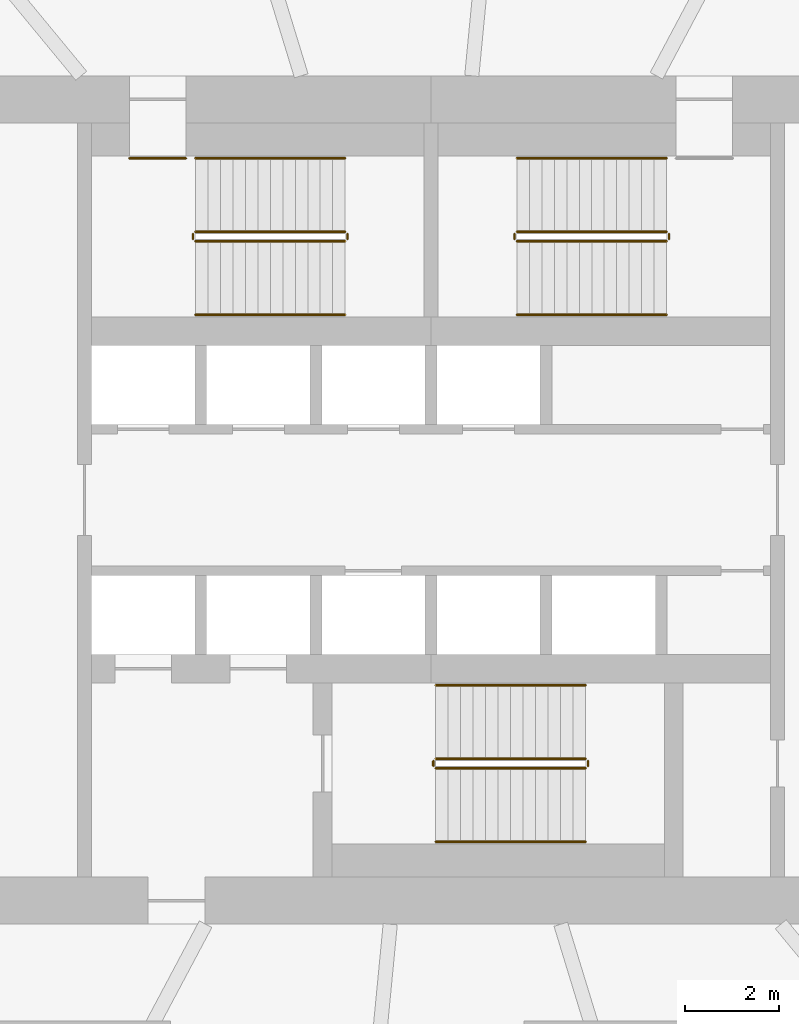
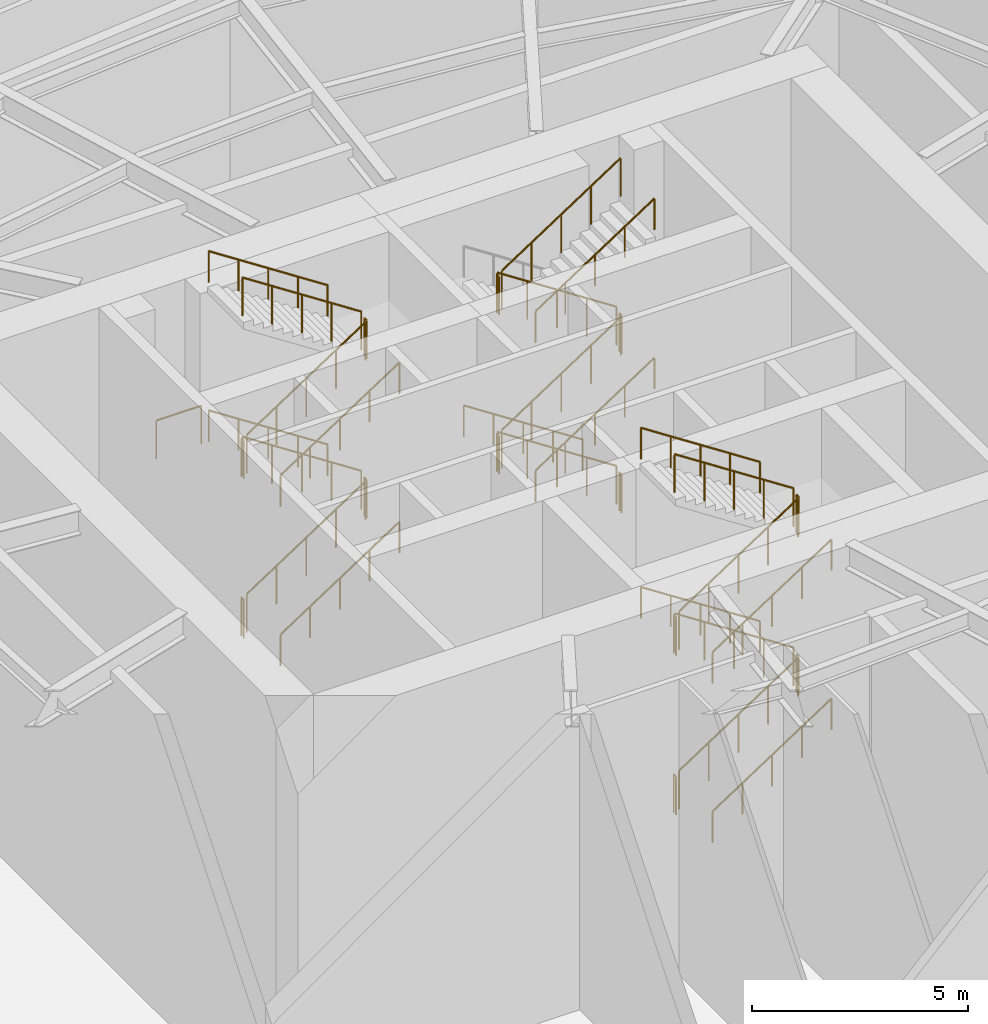
# One storey, part 18 of 19: 36 railings.
"""IFC4 building model written with IfcOpenShell, lengths in metres."""

from ifc_helpers import new_model, si_unit, direction, frame, origin, origin_2d, place, context, subcontext, project, spatial, circle, extrude, material, type_object, element, save


model = new_model("IFC4")

# Units and contexts
model_context = context("Model", 3, precision=1e-05, world=origin(), true_north=direction((0.0, 1.0)))
body_context = subcontext(model_context, "Body", "Model", "MODEL_VIEW")
ifc_project = project(units=[si_unit("LENGTHUNIT", "METRE"), si_unit("AREAUNIT", "SQUARE_METRE"), si_unit("VOLUMEUNIT", "CUBIC_METRE"), si_unit("PLANEANGLEUNIT", "RADIAN"), si_unit("MASSUNIT", "GRAM", prefix="KILO")], contexts=[model_context])

# Site, building, storey
site_placement = place(None, origin())
site = spatial("IfcSite", under=ifc_project, at=site_placement, CompositionType="ELEMENT")
building_placement = place(site_placement, origin())
building = spatial("IfcBuilding", under=site, at=building_placement, Name="Vermilion Reach Broadcast Tower", CompositionType="ELEMENT")
storey_placement = place(building_placement, frame((0.0, 0.0, 8.0)))
storey = spatial("IfcBuildingStorey", under=building, at=storey_placement, Name="L01", CompositionType="ELEMENT", Elevation=8.0)

# Railings
ifc_material_1 = material(Name="Stainless steel", Category="steel")
railing_type_1 = type_object("IfcRailingType", Name="Stair guard 1100", PredefinedType="GUARDRAIL", material=ifc_material_1)
railing_1_placement = place(storey_placement, frame((-11.0, 5.489990234375, 0.173095703125)))
element("IfcRailing", 1, at=railing_1_placement, inside=storey, type_object=railing_type_1, Name="L01 ST1 stair guard 1", PredefinedType="GUARDRAIL", context=body_context, shape_type="SweptSolid", body=[
    extrude(circle(Radius=0.02392578125, at=origin_2d()), frame((0.0, 0.0, 1.076171875), z_axis=(0.837244679093, 0.0, 0.546828444149), x_axis=(0.0, 1.0, 0.0)), (0.0, 0.0, 1.0), 3.798095703125),
    extrude(circle(Radius=0.02099609375, at=origin_2d()), origin(), (0.0, 0.0, 1.0), 1.052001953125),
    extrude(circle(Radius=0.02099609375, at=origin_2d()), frame((0.794921875, 0.0, 0.519287109375)), (0.0, 0.0, 1.0), 1.052001953125),
    extrude(circle(Radius=0.02099609375, at=origin_2d()), frame((1.58984375, 0.0, 1.03857421875)), (0.0, 0.0, 1.0), 1.052001953125),
    extrude(circle(Radius=0.02099609375, at=origin_2d()), frame((2.385009765625, 0.0, 1.5576171875)), (0.0, 0.0, 1.0), 1.052001953125),
    extrude(circle(Radius=0.02099609375, at=origin_2d()), frame((3.179931640625, 0.0, 2.076904296875)), (0.0, 0.0, 1.0), 1.052001953125),
])
railing_2_placement = place(storey_placement, frame((-7.77001953125, 5.5400390625, 2.25)))
element("IfcRailing", 2, at=railing_2_placement, inside=storey, type_object=railing_type_1, Name="L01 ST1 stair guard 2", PredefinedType="GUARDRAIL", context=body_context, shape_type="SweptSolid", body=[
    extrude(circle(Radius=0.02392578125, at=origin_2d()), frame((0.0, 0.0, 1.076171875), z_axis=(0.0, 1.0, 0.0), x_axis=(-1.0, 0.0, 0.0)), (0.0, 0.0, 1.0), 0.099853515625),
    extrude(circle(Radius=0.02099609375, at=origin_2d()), origin(), (0.0, 0.0, 1.0), 1.052001953125),
    extrude(circle(Radius=0.02099609375, at=origin_2d()), frame((0.0, 0.099853515625, 0.0)), (0.0, 0.0, 1.0), 1.052001953125),
])
railing_3_placement = place(storey_placement, frame((-7.820068359375, 5.68994140625, 2.423095703125)))
element("IfcRailing", 3, at=railing_3_placement, inside=storey, type_object=railing_type_1, Name="L01 ST1 stair guard 3", PredefinedType="GUARDRAIL", context=body_context, shape_type="SweptSolid", body=[
    extrude(circle(Radius=0.02392578125, at=origin_2d()), frame((0.0, 0.0, 1.076171875), z_axis=(-0.837244679093, 0.0, 0.546828444149), x_axis=(0.0, -1.0, 0.0)), (0.0, 0.0, 1.0), 3.798095703125),
    extrude(circle(Radius=0.02099609375, at=origin_2d()), origin(), (0.0, 0.0, 1.0), 1.052001953125),
    extrude(circle(Radius=0.02099609375, at=origin_2d()), frame((-0.794921875, 0.0, 0.519287109375)), (0.0, 0.0, 1.0), 1.052001953125),
    extrude(circle(Radius=0.02099609375, at=origin_2d()), frame((-1.58984375, 0.0, 1.03857421875)), (0.0, 0.0, 1.0), 1.052001953125),
    extrude(circle(Radius=0.02099609375, at=origin_2d()), frame((-2.385009765625, 0.0, 1.5576171875)), (0.0, 0.0, 1.0), 1.052001953125),
    extrude(circle(Radius=0.02099609375, at=origin_2d()), frame((-3.179931640625, 0.0, 2.076904296875)), (0.0, 0.0, 1.0), 1.052001953125),
])
railing_4_placement = place(storey_placement, frame((-11.050048828125, 5.5400390625, 4.5)))
element("IfcRailing", 4, at=railing_4_placement, inside=storey, type_object=railing_type_1, Name="L01 ST1 stair guard 4", PredefinedType="GUARDRAIL", context=body_context, shape_type="SweptSolid", body=[
    extrude(circle(Radius=0.02392578125, at=origin_2d()), frame((0.0, 0.0, 1.076171875), z_axis=(0.0, 1.0, 0.0), x_axis=(-1.0, 0.0, 0.0)), (0.0, 0.0, 1.0), 0.099853515625),
    extrude(circle(Radius=0.02099609375, at=origin_2d()), origin(), (0.0, 0.0, 1.0), 1.052001953125),
    extrude(circle(Radius=0.02099609375, at=origin_2d()), frame((0.0, 0.099853515625, 0.0)), (0.0, 0.0, 1.0), 1.052001953125),
])
railing_5_placement = place(storey_placement, frame((-11.0, 5.489990234375, 4.673095703125)))
element("IfcRailing", 5, at=railing_5_placement, inside=storey, type_object=railing_type_1, Name="L01 ST1 stair guard 5", PredefinedType="GUARDRAIL", context=body_context, shape_type="SweptSolid", body=[
    extrude(circle(Radius=0.02392578125, at=origin_2d()), frame((0.0, 0.0, 1.076171875), z_axis=(0.837244679093, 0.0, 0.546828444149), x_axis=(0.0, 1.0, 0.0)), (0.0, 0.0, 1.0), 3.798095703125),
    extrude(circle(Radius=0.02099609375, at=origin_2d()), origin(), (0.0, 0.0, 1.0), 1.052001953125),
    extrude(circle(Radius=0.02099609375, at=origin_2d()), frame((0.794921875, 0.0, 0.519287109375)), (0.0, 0.0, 1.0), 1.052001953125),
    extrude(circle(Radius=0.02099609375, at=origin_2d()), frame((1.58984375, 0.0, 1.03857421875)), (0.0, 0.0, 1.0), 1.052001953125),
    extrude(circle(Radius=0.02099609375, at=origin_2d()), frame((2.385009765625, 0.0, 1.5576171875)), (0.0, 0.0, 1.0), 1.052001953125),
    extrude(circle(Radius=0.02099609375, at=origin_2d()), frame((3.179931640625, 0.0, 2.076904296875)), (0.0, 0.0, 1.0), 1.052001953125),
])
railing_6_placement = place(storey_placement, frame((-7.77001953125, 5.5400390625, 6.75)))
element("IfcRailing", 6, at=railing_6_placement, inside=storey, type_object=railing_type_1, Name="L01 ST1 stair guard 6", PredefinedType="GUARDRAIL", context=body_context, shape_type="SweptSolid", body=[
    extrude(circle(Radius=0.02392578125, at=origin_2d()), frame((0.0, 0.0, 1.076171875), z_axis=(0.0, 1.0, 0.0), x_axis=(-1.0, 0.0, 0.0)), (0.0, 0.0, 1.0), 0.099853515625),
    extrude(circle(Radius=0.02099609375, at=origin_2d()), origin(), (0.0, 0.0, 1.0), 1.052001953125),
    extrude(circle(Radius=0.02099609375, at=origin_2d()), frame((0.0, 0.099853515625, 0.0)), (0.0, 0.0, 1.0), 1.052001953125),
])
railing_7_placement = place(storey_placement, frame((-7.820068359375, 5.68994140625, 6.923095703125)))
element("IfcRailing", 7, at=railing_7_placement, inside=storey, type_object=railing_type_1, Name="L01 ST1 stair guard 7", PredefinedType="GUARDRAIL", context=body_context, shape_type="SweptSolid", body=[
    extrude(circle(Radius=0.02392578125, at=origin_2d()), frame((0.0, 0.0, 1.076171875), z_axis=(-0.837244679093, 0.0, 0.546828444149), x_axis=(0.0, -1.0, 0.0)), (0.0, 0.0, 1.0), 3.798095703125),
    extrude(circle(Radius=0.02099609375, at=origin_2d()), origin(), (0.0, 0.0, 1.0), 1.052001953125),
    extrude(circle(Radius=0.02099609375, at=origin_2d()), frame((-0.794921875, 0.0, 0.519287109375)), (0.0, 0.0, 1.0), 1.052001953125),
    extrude(circle(Radius=0.02099609375, at=origin_2d()), frame((-1.58984375, 0.0, 1.03857421875)), (0.0, 0.0, 1.0), 1.052001953125),
    extrude(circle(Radius=0.02099609375, at=origin_2d()), frame((-2.385009765625, 0.0, 1.5576171875)), (0.0, 0.0, 1.0), 1.052001953125),
    extrude(circle(Radius=0.02099609375, at=origin_2d()), frame((-3.179931640625, 0.0, 2.076904296875)), (0.0, 0.0, 1.0), 1.052001953125),
])
railing_8_placement = place(storey_placement, frame((-11.050048828125, 5.5400390625, 0.0)))
element("IfcRailing", 8, at=railing_8_placement, inside=storey, type_object=railing_type_1, Name="L01 ST1 stair guard 8", PredefinedType="GUARDRAIL", context=body_context, shape_type="SweptSolid", body=[
    extrude(circle(Radius=0.02392578125, at=origin_2d()), frame((0.0, 0.0, 1.076171875), z_axis=(0.0, 1.0, 0.0), x_axis=(-1.0, 0.0, 0.0)), (0.0, 0.0, 1.0), 0.099853515625),
    extrude(circle(Radius=0.02099609375, at=origin_2d()), origin(), (0.0, 0.0, 1.0), 1.052001953125),
    extrude(circle(Radius=0.02099609375, at=origin_2d()), frame((0.0, 0.099853515625, 0.0)), (0.0, 0.0, 1.0), 1.052001953125),
])
railing_9_placement = place(storey_placement, frame((-12.39990234375, 7.25, 4.5)))
element("IfcRailing", 9, at=railing_9_placement, inside=storey, type_object=railing_type_1, Name="L01 ST1 doorway guard", PredefinedType="GUARDRAIL", context=body_context, shape_type="SweptSolid", body=[
    extrude(circle(Radius=0.02392578125, at=origin_2d()), frame((0.0, 0.0, 1.076171875), z_axis=(1.0, 0.0, 0.0), x_axis=(0.0, 1.0, 0.0)), (0.0, 0.0, 1.0), 1.199951171875),
    extrude(circle(Radius=0.02099609375, at=origin_2d()), origin(), (0.0, 0.0, 1.0), 1.052001953125),
    extrude(circle(Radius=0.02099609375, at=origin_2d()), frame((1.199951171875, 0.0, 0.0)), (0.0, 0.0, 1.0), 1.052001953125),
])
railing_10_placement = place(storey_placement, frame((-1.0, 5.68994140625, 0.173095703125)))
element("IfcRailing", 10, at=railing_10_placement, inside=storey, type_object=railing_type_1, Name="L01 ST2 stair guard 1", PredefinedType="GUARDRAIL", context=body_context, shape_type="SweptSolid", body=[
    extrude(circle(Radius=0.02392578125, at=origin_2d()), frame((0.0, 0.0, 1.076171875), z_axis=(-0.837244679093, 0.0, 0.546828444149), x_axis=(0.0, -1.0, 0.0)), (0.0, 0.0, 1.0), 3.798095703125),
    extrude(circle(Radius=0.02099609375, at=origin_2d()), origin(), (0.0, 0.0, 1.0), 1.052001953125),
    extrude(circle(Radius=0.02099609375, at=origin_2d()), frame((-0.794921875, 0.0, 0.519287109375)), (0.0, 0.0, 1.0), 1.052001953125),
    extrude(circle(Radius=0.02099609375, at=origin_2d()), frame((-1.58984375, 0.0, 1.03857421875)), (0.0, 0.0, 1.0), 1.052001953125),
    extrude(circle(Radius=0.02099609375, at=origin_2d()), frame((-2.385009765625, 0.0, 1.5576171875)), (0.0, 0.0, 1.0), 1.052001953125),
    extrude(circle(Radius=0.02099609375, at=origin_2d()), frame((-3.179931640625, 0.0, 2.076904296875)), (0.0, 0.0, 1.0), 1.052001953125),
])
railing_11_placement = place(storey_placement, frame((-4.22998046875, 5.639892578125, 2.25)))
element("IfcRailing", 11, at=railing_11_placement, inside=storey, type_object=railing_type_1, Name="L01 ST2 stair guard 2", PredefinedType="GUARDRAIL", context=body_context, shape_type="SweptSolid", body=[
    extrude(circle(Radius=0.02392578125, at=origin_2d()), frame((0.0, 0.0, 1.076171875), z_axis=(0.0, -1.0, 0.0), x_axis=(1.0, 0.0, 0.0)), (0.0, 0.0, 1.0), 0.099853515625),
    extrude(circle(Radius=0.02099609375, at=origin_2d()), origin(), (0.0, 0.0, 1.0), 1.052001953125),
    extrude(circle(Radius=0.02099609375, at=origin_2d()), frame((0.0, -0.099853515625, 0.0)), (0.0, 0.0, 1.0), 1.052001953125),
])
railing_12_placement = place(storey_placement, frame((-4.179931640625, 5.489990234375, 2.423095703125)))
element("IfcRailing", 12, at=railing_12_placement, inside=storey, type_object=railing_type_1, Name="L01 ST2 stair guard 3", PredefinedType="GUARDRAIL", context=body_context, shape_type="SweptSolid", body=[
    extrude(circle(Radius=0.02392578125, at=origin_2d()), frame((0.0, 0.0, 1.076171875), z_axis=(0.837244679093, 0.0, 0.546828444149), x_axis=(0.0, 1.0, 0.0)), (0.0, 0.0, 1.0), 3.798095703125),
    extrude(circle(Radius=0.02099609375, at=origin_2d()), origin(), (0.0, 0.0, 1.0), 1.052001953125),
    extrude(circle(Radius=0.02099609375, at=origin_2d()), frame((0.794921875, 0.0, 0.519287109375)), (0.0, 0.0, 1.0), 1.052001953125),
    extrude(circle(Radius=0.02099609375, at=origin_2d()), frame((1.58984375, 0.0, 1.03857421875)), (0.0, 0.0, 1.0), 1.052001953125),
    extrude(circle(Radius=0.02099609375, at=origin_2d()), frame((2.385009765625, 0.0, 1.5576171875)), (0.0, 0.0, 1.0), 1.052001953125),
    extrude(circle(Radius=0.02099609375, at=origin_2d()), frame((3.179931640625, 0.0, 2.076904296875)), (0.0, 0.0, 1.0), 1.052001953125),
])
railing_13_placement = place(storey_placement, frame((-0.949951171875, 5.639892578125, 4.5)))
element("IfcRailing", 13, at=railing_13_placement, inside=storey, type_object=railing_type_1, Name="L01 ST2 stair guard 4", PredefinedType="GUARDRAIL", context=body_context, shape_type="SweptSolid", body=[
    extrude(circle(Radius=0.02392578125, at=origin_2d()), frame((0.0, 0.0, 1.076171875), z_axis=(0.0, -1.0, 0.0), x_axis=(1.0, 0.0, 0.0)), (0.0, 0.0, 1.0), 0.099853515625),
    extrude(circle(Radius=0.02099609375, at=origin_2d()), origin(), (0.0, 0.0, 1.0), 1.052001953125),
    extrude(circle(Radius=0.02099609375, at=origin_2d()), frame((0.0, -0.099853515625, 0.0)), (0.0, 0.0, 1.0), 1.052001953125),
])
railing_14_placement = place(storey_placement, frame((-1.0, 5.68994140625, 4.673095703125)))
element("IfcRailing", 14, at=railing_14_placement, inside=storey, type_object=railing_type_1, Name="L01 ST2 stair guard 5", PredefinedType="GUARDRAIL", context=body_context, shape_type="SweptSolid", body=[
    extrude(circle(Radius=0.02392578125, at=origin_2d()), frame((0.0, 0.0, 1.076171875), z_axis=(-0.837244679093, 0.0, 0.546828444149), x_axis=(0.0, -1.0, 0.0)), (0.0, 0.0, 1.0), 3.798095703125),
    extrude(circle(Radius=0.02099609375, at=origin_2d()), origin(), (0.0, 0.0, 1.0), 1.052001953125),
    extrude(circle(Radius=0.02099609375, at=origin_2d()), frame((-0.794921875, 0.0, 0.519287109375)), (0.0, 0.0, 1.0), 1.052001953125),
    extrude(circle(Radius=0.02099609375, at=origin_2d()), frame((-1.58984375, 0.0, 1.03857421875)), (0.0, 0.0, 1.0), 1.052001953125),
    extrude(circle(Radius=0.02099609375, at=origin_2d()), frame((-2.385009765625, 0.0, 1.5576171875)), (0.0, 0.0, 1.0), 1.052001953125),
    extrude(circle(Radius=0.02099609375, at=origin_2d()), frame((-3.179931640625, 0.0, 2.076904296875)), (0.0, 0.0, 1.0), 1.052001953125),
])
railing_15_placement = place(storey_placement, frame((-4.22998046875, 5.639892578125, 6.75)))
element("IfcRailing", 15, at=railing_15_placement, inside=storey, type_object=railing_type_1, Name="L01 ST2 stair guard 6", PredefinedType="GUARDRAIL", context=body_context, shape_type="SweptSolid", body=[
    extrude(circle(Radius=0.02392578125, at=origin_2d()), frame((0.0, 0.0, 1.076171875), z_axis=(0.0, -1.0, 0.0), x_axis=(1.0, 0.0, 0.0)), (0.0, 0.0, 1.0), 0.099853515625),
    extrude(circle(Radius=0.02099609375, at=origin_2d()), origin(), (0.0, 0.0, 1.0), 1.052001953125),
    extrude(circle(Radius=0.02099609375, at=origin_2d()), frame((0.0, -0.099853515625, 0.0)), (0.0, 0.0, 1.0), 1.052001953125),
])
railing_16_placement = place(storey_placement, frame((-4.179931640625, 5.489990234375, 6.923095703125)))
element("IfcRailing", 16, at=railing_16_placement, inside=storey, type_object=railing_type_1, Name="L01 ST2 stair guard 7", PredefinedType="GUARDRAIL", context=body_context, shape_type="SweptSolid", body=[
    extrude(circle(Radius=0.02392578125, at=origin_2d()), frame((0.0, 0.0, 1.076171875), z_axis=(0.837244679093, 0.0, 0.546828444149), x_axis=(0.0, 1.0, 0.0)), (0.0, 0.0, 1.0), 3.798095703125),
    extrude(circle(Radius=0.02099609375, at=origin_2d()), origin(), (0.0, 0.0, 1.0), 1.052001953125),
    extrude(circle(Radius=0.02099609375, at=origin_2d()), frame((0.794921875, 0.0, 0.519287109375)), (0.0, 0.0, 1.0), 1.052001953125),
    extrude(circle(Radius=0.02099609375, at=origin_2d()), frame((1.58984375, 0.0, 1.03857421875)), (0.0, 0.0, 1.0), 1.052001953125),
    extrude(circle(Radius=0.02099609375, at=origin_2d()), frame((2.385009765625, 0.0, 1.5576171875)), (0.0, 0.0, 1.0), 1.052001953125),
    extrude(circle(Radius=0.02099609375, at=origin_2d()), frame((3.179931640625, 0.0, 2.076904296875)), (0.0, 0.0, 1.0), 1.052001953125),
])
railing_17_placement = place(storey_placement, frame((-0.949951171875, 5.639892578125, 0.0)))
element("IfcRailing", 17, at=railing_17_placement, inside=storey, type_object=railing_type_1, Name="L01 ST2 stair guard 8", PredefinedType="GUARDRAIL", context=body_context, shape_type="SweptSolid", body=[
    extrude(circle(Radius=0.02392578125, at=origin_2d()), frame((0.0, 0.0, 1.076171875), z_axis=(0.0, -1.0, 0.0), x_axis=(1.0, 0.0, 0.0)), (0.0, 0.0, 1.0), 0.099853515625),
    extrude(circle(Radius=0.02099609375, at=origin_2d()), origin(), (0.0, 0.0, 1.0), 1.052001953125),
    extrude(circle(Radius=0.02099609375, at=origin_2d()), frame((0.0, -0.099853515625, 0.0)), (0.0, 0.0, 1.0), 1.052001953125),
])
railing_18_placement = place(storey_placement, frame((-5.89990234375, -5.68994140625, 0.173095703125)))
element("IfcRailing", 18, at=railing_18_placement, inside=storey, type_object=railing_type_1, Name="L01 ST3 stair guard 1", PredefinedType="GUARDRAIL", context=body_context, shape_type="SweptSolid", body=[
    extrude(circle(Radius=0.02392578125, at=origin_2d()), frame((0.0, 0.0, 1.076171875), z_axis=(0.837244679093, 0.0, 0.546828444149), x_axis=(0.0, 1.0, 0.0)), (0.0, 0.0, 1.0), 3.798095703125),
    extrude(circle(Radius=0.02099609375, at=origin_2d()), origin(), (0.0, 0.0, 1.0), 1.052001953125),
    extrude(circle(Radius=0.02099609375, at=origin_2d()), frame((0.794921875, 0.0, 0.519287109375)), (0.0, 0.0, 1.0), 1.052001953125),
    extrude(circle(Radius=0.02099609375, at=origin_2d()), frame((1.58984375, 0.0, 1.03857421875)), (0.0, 0.0, 1.0), 1.052001953125),
    extrude(circle(Radius=0.02099609375, at=origin_2d()), frame((2.385009765625, 0.0, 1.5576171875)), (0.0, 0.0, 1.0), 1.052001953125),
    extrude(circle(Radius=0.02099609375, at=origin_2d()), frame((3.179931640625, 0.0, 2.076904296875)), (0.0, 0.0, 1.0), 1.052001953125),
])
railing_19_placement = place(storey_placement, frame((-2.669921875, -5.639892578125, 2.25)))
element("IfcRailing", 19, at=railing_19_placement, inside=storey, type_object=railing_type_1, Name="L01 ST3 stair guard 2", PredefinedType="GUARDRAIL", context=body_context, shape_type="SweptSolid", body=[
    extrude(circle(Radius=0.02392578125, at=origin_2d()), frame((0.0, 0.0, 1.076171875), z_axis=(0.0, 1.0, 0.0), x_axis=(-1.0, 0.0, 0.0)), (0.0, 0.0, 1.0), 0.099853515625),
    extrude(circle(Radius=0.02099609375, at=origin_2d()), origin(), (0.0, 0.0, 1.0), 1.052001953125),
    extrude(circle(Radius=0.02099609375, at=origin_2d()), frame((0.0, 0.099853515625, 0.0)), (0.0, 0.0, 1.0), 1.052001953125),
])
railing_20_placement = place(storey_placement, frame((-2.719970703125, -5.489990234375, 2.423095703125)))
element("IfcRailing", 20, at=railing_20_placement, inside=storey, type_object=railing_type_1, Name="L01 ST3 stair guard 3", PredefinedType="GUARDRAIL", context=body_context, shape_type="SweptSolid", body=[
    extrude(circle(Radius=0.02392578125, at=origin_2d()), frame((0.0, 0.0, 1.076171875), z_axis=(-0.837244679093, 0.0, 0.546828444149), x_axis=(0.0, -1.0, 0.0)), (0.0, 0.0, 1.0), 3.798095703125),
    extrude(circle(Radius=0.02099609375, at=origin_2d()), origin(), (0.0, 0.0, 1.0), 1.052001953125),
    extrude(circle(Radius=0.02099609375, at=origin_2d()), frame((-0.794921875, 0.0, 0.519287109375)), (0.0, 0.0, 1.0), 1.052001953125),
    extrude(circle(Radius=0.02099609375, at=origin_2d()), frame((-1.58984375, 0.0, 1.03857421875)), (0.0, 0.0, 1.0), 1.052001953125),
    extrude(circle(Radius=0.02099609375, at=origin_2d()), frame((-2.385009765625, 0.0, 1.5576171875)), (0.0, 0.0, 1.0), 1.052001953125),
    extrude(circle(Radius=0.02099609375, at=origin_2d()), frame((-3.179931640625, 0.0, 2.076904296875)), (0.0, 0.0, 1.0), 1.052001953125),
])
railing_21_placement = place(storey_placement, frame((-5.949951171875, -5.639892578125, 4.5)))
element("IfcRailing", 21, at=railing_21_placement, inside=storey, type_object=railing_type_1, Name="L01 ST3 stair guard 4", PredefinedType="GUARDRAIL", context=body_context, shape_type="SweptSolid", body=[
    extrude(circle(Radius=0.02392578125, at=origin_2d()), frame((0.0, 0.0, 1.076171875), z_axis=(0.0, 1.0, 0.0), x_axis=(-1.0, 0.0, 0.0)), (0.0, 0.0, 1.0), 0.099853515625),
    extrude(circle(Radius=0.02099609375, at=origin_2d()), origin(), (0.0, 0.0, 1.0), 1.052001953125),
    extrude(circle(Radius=0.02099609375, at=origin_2d()), frame((0.0, 0.099853515625, 0.0)), (0.0, 0.0, 1.0), 1.052001953125),
])
railing_22_placement = place(storey_placement, frame((-5.89990234375, -5.68994140625, 4.673095703125)))
element("IfcRailing", 22, at=railing_22_placement, inside=storey, type_object=railing_type_1, Name="L01 ST3 stair guard 5", PredefinedType="GUARDRAIL", context=body_context, shape_type="SweptSolid", body=[
    extrude(circle(Radius=0.02392578125, at=origin_2d()), frame((0.0, 0.0, 1.076171875), z_axis=(0.837244679093, 0.0, 0.546828444149), x_axis=(0.0, 1.0, 0.0)), (0.0, 0.0, 1.0), 3.798095703125),
    extrude(circle(Radius=0.02099609375, at=origin_2d()), origin(), (0.0, 0.0, 1.0), 1.052001953125),
    extrude(circle(Radius=0.02099609375, at=origin_2d()), frame((0.794921875, 0.0, 0.519287109375)), (0.0, 0.0, 1.0), 1.052001953125),
    extrude(circle(Radius=0.02099609375, at=origin_2d()), frame((1.58984375, 0.0, 1.03857421875)), (0.0, 0.0, 1.0), 1.052001953125),
    extrude(circle(Radius=0.02099609375, at=origin_2d()), frame((2.385009765625, 0.0, 1.5576171875)), (0.0, 0.0, 1.0), 1.052001953125),
    extrude(circle(Radius=0.02099609375, at=origin_2d()), frame((3.179931640625, 0.0, 2.076904296875)), (0.0, 0.0, 1.0), 1.052001953125),
])
railing_23_placement = place(storey_placement, frame((-2.669921875, -5.639892578125, 6.75)))
element("IfcRailing", 23, at=railing_23_placement, inside=storey, type_object=railing_type_1, Name="L01 ST3 stair guard 6", PredefinedType="GUARDRAIL", context=body_context, shape_type="SweptSolid", body=[
    extrude(circle(Radius=0.02392578125, at=origin_2d()), frame((0.0, 0.0, 1.076171875), z_axis=(0.0, 1.0, 0.0), x_axis=(-1.0, 0.0, 0.0)), (0.0, 0.0, 1.0), 0.099853515625),
    extrude(circle(Radius=0.02099609375, at=origin_2d()), origin(), (0.0, 0.0, 1.0), 1.052001953125),
    extrude(circle(Radius=0.02099609375, at=origin_2d()), frame((0.0, 0.099853515625, 0.0)), (0.0, 0.0, 1.0), 1.052001953125),
])
railing_24_placement = place(storey_placement, frame((-2.719970703125, -5.489990234375, 6.923095703125)))
element("IfcRailing", 24, at=railing_24_placement, inside=storey, type_object=railing_type_1, Name="L01 ST3 stair guard 7", PredefinedType="GUARDRAIL", context=body_context, shape_type="SweptSolid", body=[
    extrude(circle(Radius=0.02392578125, at=origin_2d()), frame((0.0, 0.0, 1.076171875), z_axis=(-0.837244679093, 0.0, 0.546828444149), x_axis=(0.0, -1.0, 0.0)), (0.0, 0.0, 1.0), 3.798095703125),
    extrude(circle(Radius=0.02099609375, at=origin_2d()), origin(), (0.0, 0.0, 1.0), 1.052001953125),
    extrude(circle(Radius=0.02099609375, at=origin_2d()), frame((-0.794921875, 0.0, 0.519287109375)), (0.0, 0.0, 1.0), 1.052001953125),
    extrude(circle(Radius=0.02099609375, at=origin_2d()), frame((-1.58984375, 0.0, 1.03857421875)), (0.0, 0.0, 1.0), 1.052001953125),
    extrude(circle(Radius=0.02099609375, at=origin_2d()), frame((-2.385009765625, 0.0, 1.5576171875)), (0.0, 0.0, 1.0), 1.052001953125),
    extrude(circle(Radius=0.02099609375, at=origin_2d()), frame((-3.179931640625, 0.0, 2.076904296875)), (0.0, 0.0, 1.0), 1.052001953125),
])
railing_25_placement = place(storey_placement, frame((-5.949951171875, -5.639892578125, 0.0)))
element("IfcRailing", 25, at=railing_25_placement, inside=storey, type_object=railing_type_1, Name="L01 ST3 stair guard 8", PredefinedType="GUARDRAIL", context=body_context, shape_type="SweptSolid", body=[
    extrude(circle(Radius=0.02392578125, at=origin_2d()), frame((0.0, 0.0, 1.076171875), z_axis=(0.0, 1.0, 0.0), x_axis=(-1.0, 0.0, 0.0)), (0.0, 0.0, 1.0), 0.099853515625),
    extrude(circle(Radius=0.02099609375, at=origin_2d()), origin(), (0.0, 0.0, 1.0), 1.052001953125),
    extrude(circle(Radius=0.02099609375, at=origin_2d()), frame((0.0, 0.099853515625, 0.0)), (0.0, 0.0, 1.0), 1.052001953125),
])
ifc_material_2 = material(Name="Stainless steel", Category="steel")
railing_type_2 = type_object("IfcRailingType", Name="Stair handrail", PredefinedType="HANDRAIL", material=ifc_material_2)
railing_26_placement = place(storey_placement, frame((-11.0, 3.929931640625, 0.173095703125)))
element("IfcRailing", 26, at=railing_26_placement, inside=storey, type_object=railing_type_2, Name="L01 ST1 stair handrail 1", PredefinedType="HANDRAIL", context=body_context, shape_type="SweptSolid", body=[
    extrude(circle(Radius=0.02392578125, at=origin_2d()), frame((0.0, 0.0, 0.8759765625), z_axis=(0.837244679093, 0.0, 0.546828444149), x_axis=(0.0, 1.0, 0.0)), (0.0, 0.0, 1.0), 3.798095703125),
    extrude(circle(Radius=0.02099609375, at=origin_2d()), origin(), (0.0, 0.0, 1.0), 0.851806640625),
    extrude(circle(Radius=0.02099609375, at=origin_2d()), frame((0.794921875, 0.0, 0.519287109375)), (0.0, 0.0, 1.0), 0.851806640625),
    extrude(circle(Radius=0.02099609375, at=origin_2d()), frame((1.58984375, 0.0, 1.03857421875)), (0.0, 0.0, 1.0), 0.851806640625),
    extrude(circle(Radius=0.02099609375, at=origin_2d()), frame((2.385009765625, 0.0, 1.5576171875)), (0.0, 0.0, 1.0), 0.851806640625),
    extrude(circle(Radius=0.02099609375, at=origin_2d()), frame((3.179931640625, 0.0, 2.076904296875)), (0.0, 0.0, 1.0), 0.851806640625),
])
railing_27_placement = place(storey_placement, frame((-7.820068359375, 7.25, 2.423095703125)))
element("IfcRailing", 27, at=railing_27_placement, inside=storey, type_object=railing_type_2, Name="L01 ST1 stair handrail 2", PredefinedType="HANDRAIL", context=body_context, shape_type="SweptSolid", body=[
    extrude(circle(Radius=0.02392578125, at=origin_2d()), frame((0.0, 0.0, 0.8759765625), z_axis=(-0.837244679093, 0.0, 0.546828444149), x_axis=(0.0, -1.0, 0.0)), (0.0, 0.0, 1.0), 3.798095703125),
    extrude(circle(Radius=0.02099609375, at=origin_2d()), origin(), (0.0, 0.0, 1.0), 0.851806640625),
    extrude(circle(Radius=0.02099609375, at=origin_2d()), frame((-0.794921875, 0.0, 0.519287109375)), (0.0, 0.0, 1.0), 0.851806640625),
    extrude(circle(Radius=0.02099609375, at=origin_2d()), frame((-1.58984375, 0.0, 1.03857421875)), (0.0, 0.0, 1.0), 0.851806640625),
    extrude(circle(Radius=0.02099609375, at=origin_2d()), frame((-2.385009765625, 0.0, 1.5576171875)), (0.0, 0.0, 1.0), 0.851806640625),
    extrude(circle(Radius=0.02099609375, at=origin_2d()), frame((-3.179931640625, 0.0, 2.076904296875)), (0.0, 0.0, 1.0), 0.851806640625),
])
railing_28_placement = place(storey_placement, frame((-11.0, 3.929931640625, 4.673095703125)))
element("IfcRailing", 28, at=railing_28_placement, inside=storey, type_object=railing_type_2, Name="L01 ST1 stair handrail 3", PredefinedType="HANDRAIL", context=body_context, shape_type="SweptSolid", body=[
    extrude(circle(Radius=0.02392578125, at=origin_2d()), frame((0.0, 0.0, 0.8759765625), z_axis=(0.837244679093, 0.0, 0.546828444149), x_axis=(0.0, 1.0, 0.0)), (0.0, 0.0, 1.0), 3.798095703125),
    extrude(circle(Radius=0.02099609375, at=origin_2d()), origin(), (0.0, 0.0, 1.0), 0.851806640625),
    extrude(circle(Radius=0.02099609375, at=origin_2d()), frame((0.794921875, 0.0, 0.519287109375)), (0.0, 0.0, 1.0), 0.851806640625),
    extrude(circle(Radius=0.02099609375, at=origin_2d()), frame((1.58984375, 0.0, 1.03857421875)), (0.0, 0.0, 1.0), 0.851806640625),
    extrude(circle(Radius=0.02099609375, at=origin_2d()), frame((2.385009765625, 0.0, 1.5576171875)), (0.0, 0.0, 1.0), 0.851806640625),
    extrude(circle(Radius=0.02099609375, at=origin_2d()), frame((3.179931640625, 0.0, 2.076904296875)), (0.0, 0.0, 1.0), 0.851806640625),
])
for number, where, name in (
    (29, (-7.820068359375, 7.25, 6.923095703125), "L01 ST1 stair handrail 4"),
    (30, (-1.0, 7.25, 0.173095703125), "L01 ST2 stair handrail 1"),
):
    element("IfcRailing", number, at=place(storey_placement, frame(where)), inside=storey, type_object=railing_type_2, Name=name, PredefinedType="HANDRAIL", context=body_context, shape_type="SweptSolid", body=[
        extrude(circle(Radius=0.02392578125, at=origin_2d()), frame((0.0, 0.0, 0.8759765625), z_axis=(-0.837244679093, 0.0, 0.546828444149), x_axis=(0.0, -1.0, 0.0)), (0.0, 0.0, 1.0), 3.798095703125),
        extrude(circle(Radius=0.02099609375, at=origin_2d()), origin(), (0.0, 0.0, 1.0), 0.851806640625),
        extrude(circle(Radius=0.02099609375, at=origin_2d()), frame((-0.794921875, 0.0, 0.519287109375)), (0.0, 0.0, 1.0), 0.851806640625),
        extrude(circle(Radius=0.02099609375, at=origin_2d()), frame((-1.58984375, 0.0, 1.03857421875)), (0.0, 0.0, 1.0), 0.851806640625),
        extrude(circle(Radius=0.02099609375, at=origin_2d()), frame((-2.385009765625, 0.0, 1.5576171875)), (0.0, 0.0, 1.0), 0.851806640625),
        extrude(circle(Radius=0.02099609375, at=origin_2d()), frame((-3.179931640625, 0.0, 2.076904296875)), (0.0, 0.0, 1.0), 0.851806640625),
    ])
for number, where, name in (
    (31, (-4.179931640625, 3.929931640625, 2.423095703125), "L01 ST2 stair handrail 2"),
    (32, (-4.179931640625, 3.929931640625, 6.923095703125), "L01 ST2 stair handrail 4"),
    (33, (-5.89990234375, -7.25, 0.173095703125), "L01 ST3 stair handrail 1"),
):
    element("IfcRailing", number, at=place(storey_placement, frame(where)), inside=storey, type_object=railing_type_2, Name=name, PredefinedType="HANDRAIL", context=body_context, shape_type="SweptSolid", body=[
        extrude(circle(Radius=0.02392578125, at=origin_2d()), frame((0.0, 0.0, 0.8759765625), z_axis=(0.837244679093, 0.0, 0.546828444149), x_axis=(0.0, 1.0, 0.0)), (0.0, 0.0, 1.0), 3.798095703125),
        extrude(circle(Radius=0.02099609375, at=origin_2d()), origin(), (0.0, 0.0, 1.0), 0.851806640625),
        extrude(circle(Radius=0.02099609375, at=origin_2d()), frame((0.794921875, 0.0, 0.519287109375)), (0.0, 0.0, 1.0), 0.851806640625),
        extrude(circle(Radius=0.02099609375, at=origin_2d()), frame((1.58984375, 0.0, 1.03857421875)), (0.0, 0.0, 1.0), 0.851806640625),
        extrude(circle(Radius=0.02099609375, at=origin_2d()), frame((2.385009765625, 0.0, 1.5576171875)), (0.0, 0.0, 1.0), 0.851806640625),
        extrude(circle(Radius=0.02099609375, at=origin_2d()), frame((3.179931640625, 0.0, 2.076904296875)), (0.0, 0.0, 1.0), 0.851806640625),
    ])
railing_29_placement = place(storey_placement, frame((-2.719970703125, -3.929931640625, 2.423095703125)))
element("IfcRailing", 34, at=railing_29_placement, inside=storey, type_object=railing_type_2, Name="L01 ST3 stair handrail 2", PredefinedType="HANDRAIL", context=body_context, shape_type="SweptSolid", body=[
    extrude(circle(Radius=0.02392578125, at=origin_2d()), frame((0.0, 0.0, 0.8759765625), z_axis=(-0.837244679093, 0.0, 0.546828444149), x_axis=(0.0, -1.0, 0.0)), (0.0, 0.0, 1.0), 3.798095703125),
    extrude(circle(Radius=0.02099609375, at=origin_2d()), origin(), (0.0, 0.0, 1.0), 0.851806640625),
    extrude(circle(Radius=0.02099609375, at=origin_2d()), frame((-0.794921875, 0.0, 0.519287109375)), (0.0, 0.0, 1.0), 0.851806640625),
    extrude(circle(Radius=0.02099609375, at=origin_2d()), frame((-1.58984375, 0.0, 1.03857421875)), (0.0, 0.0, 1.0), 0.851806640625),
    extrude(circle(Radius=0.02099609375, at=origin_2d()), frame((-2.385009765625, 0.0, 1.5576171875)), (0.0, 0.0, 1.0), 0.851806640625),
    extrude(circle(Radius=0.02099609375, at=origin_2d()), frame((-3.179931640625, 0.0, 2.076904296875)), (0.0, 0.0, 1.0), 0.851806640625),
])
railing_30_placement = place(storey_placement, frame((-5.89990234375, -7.25, 4.673095703125)))
element("IfcRailing", 35, at=railing_30_placement, inside=storey, type_object=railing_type_2, Name="L01 ST3 stair handrail 3", PredefinedType="HANDRAIL", context=body_context, shape_type="SweptSolid", body=[
    extrude(circle(Radius=0.02392578125, at=origin_2d()), frame((0.0, 0.0, 0.8759765625), z_axis=(0.837244679093, 0.0, 0.546828444149), x_axis=(0.0, 1.0, 0.0)), (0.0, 0.0, 1.0), 3.798095703125),
    extrude(circle(Radius=0.02099609375, at=origin_2d()), origin(), (0.0, 0.0, 1.0), 0.851806640625),
    extrude(circle(Radius=0.02099609375, at=origin_2d()), frame((0.794921875, 0.0, 0.519287109375)), (0.0, 0.0, 1.0), 0.851806640625),
    extrude(circle(Radius=0.02099609375, at=origin_2d()), frame((1.58984375, 0.0, 1.03857421875)), (0.0, 0.0, 1.0), 0.851806640625),
    extrude(circle(Radius=0.02099609375, at=origin_2d()), frame((2.385009765625, 0.0, 1.5576171875)), (0.0, 0.0, 1.0), 0.851806640625),
    extrude(circle(Radius=0.02099609375, at=origin_2d()), frame((3.179931640625, 0.0, 2.076904296875)), (0.0, 0.0, 1.0), 0.851806640625),
])
railing_31_placement = place(storey_placement, frame((-2.719970703125, -3.929931640625, 6.923095703125)))
element("IfcRailing", 36, at=railing_31_placement, inside=storey, type_object=railing_type_2, Name="L01 ST3 stair handrail 4", PredefinedType="HANDRAIL", context=body_context, shape_type="SweptSolid", body=[
    extrude(circle(Radius=0.02392578125, at=origin_2d()), frame((0.0, 0.0, 0.8759765625), z_axis=(-0.837244679093, 0.0, 0.546828444149), x_axis=(0.0, -1.0, 0.0)), (0.0, 0.0, 1.0), 3.798095703125),
    extrude(circle(Radius=0.02099609375, at=origin_2d()), origin(), (0.0, 0.0, 1.0), 0.851806640625),
    extrude(circle(Radius=0.02099609375, at=origin_2d()), frame((-0.794921875, 0.0, 0.519287109375)), (0.0, 0.0, 1.0), 0.851806640625),
    extrude(circle(Radius=0.02099609375, at=origin_2d()), frame((-1.58984375, 0.0, 1.03857421875)), (0.0, 0.0, 1.0), 0.851806640625),
    extrude(circle(Radius=0.02099609375, at=origin_2d()), frame((-2.385009765625, 0.0, 1.5576171875)), (0.0, 0.0, 1.0), 0.851806640625),
    extrude(circle(Radius=0.02099609375, at=origin_2d()), frame((-3.179931640625, 0.0, 2.076904296875)), (0.0, 0.0, 1.0), 0.851806640625),
])

save(model, "model.ifc")
